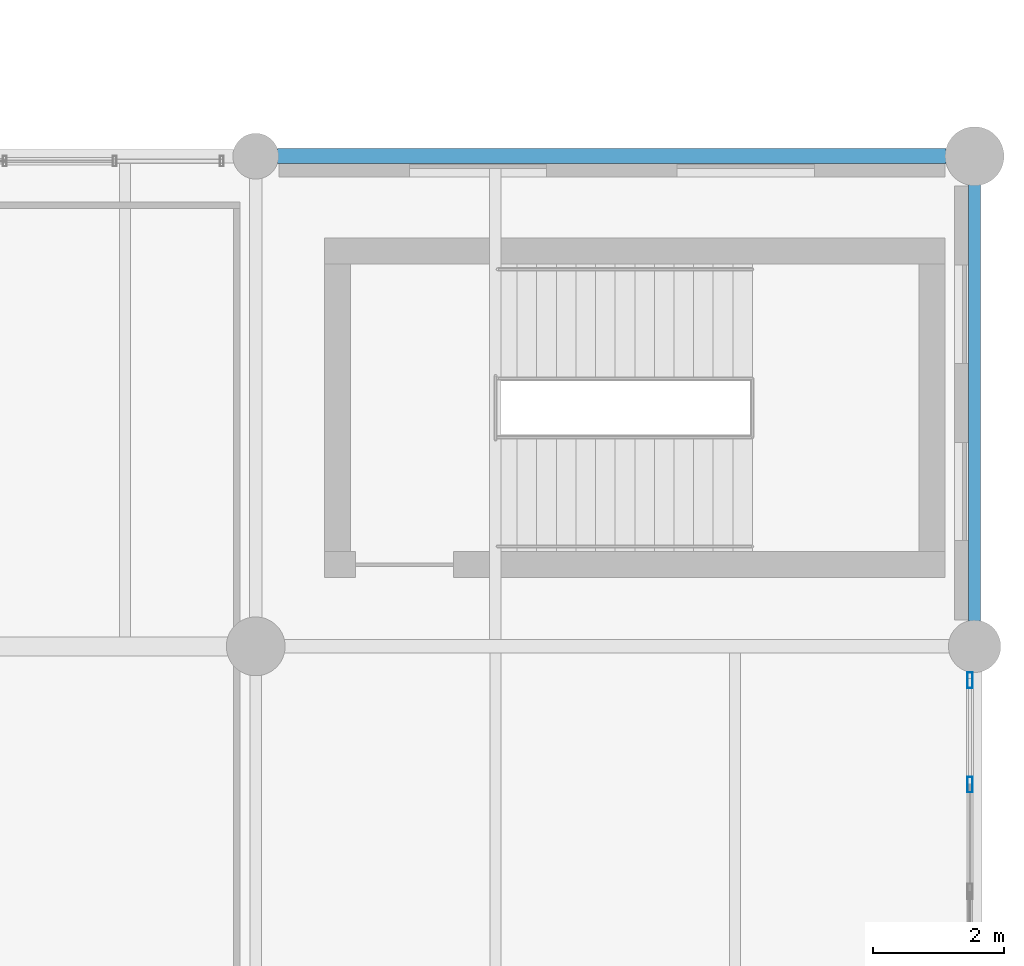
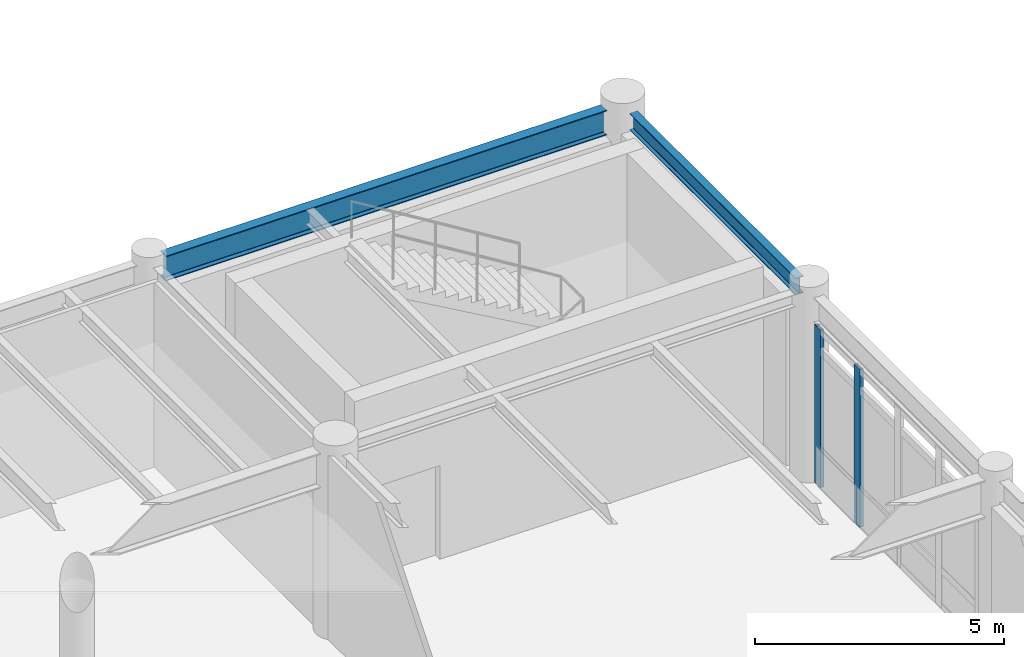
# One storey, part 134 of 200: 2 beams, 2 members, 1 element without a shape of its own.
"""IFC4 building model written with IfcOpenShell, lengths in metres."""

from ifc_helpers import new_model, si_unit, direction, frame, origin, origin_2d, place, context, subcontext, project, spatial, hollow_rectangle, i_section, extrude, material, material_profile, profile_set, type_object, element, aggregate, save


model = new_model("IFC4")

# Units and contexts
model_context = context("Model", 3, precision=1e-05, world=origin(), true_north=direction((0.0, 1.0)))
body_context = subcontext(model_context, "Body", "Model", "MODEL_VIEW")
ifc_project = project(units=[si_unit("LENGTHUNIT", "METRE"), si_unit("AREAUNIT", "SQUARE_METRE"), si_unit("VOLUMEUNIT", "CUBIC_METRE"), si_unit("PLANEANGLEUNIT", "RADIAN"), si_unit("MASSUNIT", "GRAM", prefix="KILO"), si_unit("THERMODYNAMICTEMPERATUREUNIT", "KELVIN"), si_unit("POWERUNIT", "WATT")], contexts=[model_context])

# Site, building, storey
site_placement = place(None, origin())
site = spatial("IfcSite", under=ifc_project, at=site_placement, CompositionType="ELEMENT")
building_placement = place(site_placement, origin())
building = spatial("IfcBuilding", under=site, at=building_placement, Name="Tepalcoro Natatorium and Aquatics Centre", CompositionType="ELEMENT")
storey_placement = place(building_placement, frame((0.0, 0.0, 5.39990234375)))
storey = spatial("IfcBuildingStorey", under=building, at=storey_placement, Name="L01", CompositionType="ELEMENT", Elevation=5.39990234375)

# Curtain wall, members
ifc_material_1 = material(Name="Bronze-Anodised Extruded Aluminium Alloy EN AW-6063 T6", Category="aluminium")
curtain_wall_type = type_object("IfcCurtainWallType", Name="CW_V3_FOYER", PredefinedType="USERDEFINED", material=ifc_material_1)
curtain_wall_placement = place(storey_placement, origin())
curtain_wall = element("IfcCurtainWall", 1, at=curtain_wall_placement, inside=storey, type_object=curtain_wall_type, Name="V2 L01 E Unitised Curtain Wall Bay 6", ObjectType="UNITISED STOREFRONT", PredefinedType="USERDEFINED")
ifc_material_profile_1 = material_profile(ifc_material_1, hollow_rectangle(XDim=0.080078125, YDim=0.239990234375, WallThickness=0.0048828125, at=origin_2d()), Name="AL80X240X5")
ifc_profile_set_1 = profile_set([ifc_material_profile_1], Name="Bronze-Anodised Extruded Aluminium Alloy EN AW-6063 T6")
member_type = type_object("IfcMemberType", Name="CW_MUL_80x240", PredefinedType="MULLION", material=ifc_profile_set_1)
member_1_placement = place(storey_placement, frame((175.9287109375, 49.385009765625, 0.02001953125), z_axis=(0.0, 0.0, 1.0), x_axis=(1.0, 0.0, 0.0)))
member_1 = element("IfcMember", 2, at=member_1_placement, type_object=member_type, Name="CW_V3_FOYER Curtain Wall Mullion", PredefinedType="MULLION", context=body_context, shape_type="SweptSolid", body=[
    extrude(hollow_rectangle(XDim=0.080078125, YDim=0.239990234375, WallThickness=0.0048828125, at=origin_2d()), origin(), (0.0, 0.0, 1.0), 3.878173828125),
])
member_2_placement = place(storey_placement, frame((175.9287109375, 50.97998046875, 0.02001953125), z_axis=(0.0, 0.0, 1.0), x_axis=(1.0, 0.0, 0.0)))
member_2 = element("IfcMember", 3, at=member_2_placement, type_object=member_type, Name="CW_V3_FOYER Curtain Wall Mullion", PredefinedType="MULLION", context=body_context, shape_type="SweptSolid", body=[
    extrude(hollow_rectangle(XDim=0.080078125, YDim=0.239990234375, WallThickness=0.0048828125, at=origin_2d()), origin(), (0.0, 0.0, 1.0), 3.878173828125),
])
aggregate(curtain_wall, [member_1, member_2])

# Beams
ifc_material_2 = material(Name="Steel ASTM A992 Grade 50 (Fy 345 MPa)", Category="steel")
ifc_material_profile_2 = material_profile(ifc_material_2, i_section(OverallWidth=0.179931640625, OverallDepth=0.4130859375, WebThickness=0.010009765625, FlangeThickness=0.01611328125, FilletRadius=0.013916015625, at=origin_2d()), Name="W16X50")
ifc_profile_set_2 = profile_set([ifc_material_profile_2], Name="Steel ASTM A992 Grade 50 (Fy 345 MPa)")
beam_type_1 = type_object("IfcBeamType", Name="SP_HSS300x200x12", PredefinedType="SPANDREL", material=ifc_profile_set_2)
beam_1_placement = place(storey_placement, frame((176.0, 51.885009765625, 4.338623046875), z_axis=(0.0, 1.0, 0.0), x_axis=(-1.0, 0.0, 0.0)))
element("IfcBeam", 4, at=beam_1_placement, inside=storey, type_object=beam_type_1, Name="V2 L01 Grid Girder Y", PredefinedType="SPANDREL", context=body_context, shape_type="SweptSolid", body=[
    extrude(i_section(OverallWidth=0.179931640625, OverallDepth=0.4130859375, WebThickness=0.010009765625, FlangeThickness=0.01611328125, FilletRadius=0.013916015625, at=origin_2d()), origin(), (0.0, 0.0, 1.0), 6.679931640625),
])
ifc_material_profile_3 = material_profile(ifc_material_2, i_section(OverallWidth=0.22900390625, OverallDepth=0.612060546875, WebThickness=0.011962890625, FlangeThickness=0.02001953125, FilletRadius=0.013916015625, at=origin_2d()), Name="W24X84")
ifc_profile_set_3 = profile_set([ifc_material_profile_3], Name="Steel ASTM A992 Grade 50 (Fy 345 MPa)")
beam_type_2 = type_object("IfcBeamType", Name="SP_W24x84", PredefinedType="SPANDREL", material=ifc_profile_set_3)
beam_2_placement = place(storey_placement, frame((165.3349609375, 59.0, 4.239013671875), z_axis=(1.0, 0.0, 0.0), x_axis=(0.0, 1.0, 0.0)))
element("IfcBeam", 5, at=beam_2_placement, inside=storey, type_object=beam_type_2, Name="V2 L01 Grid Girder X", PredefinedType="SPANDREL", context=body_context, shape_type="SweptSolid", body=[
    extrude(i_section(OverallWidth=0.22900390625, OverallDepth=0.612060546875, WebThickness=0.011962890625, FlangeThickness=0.02001953125, FilletRadius=0.013916015625, at=origin_2d()), origin(), (0.0, 0.0, 1.0), 10.22998046875),
])

save(model, "model.ifc")
